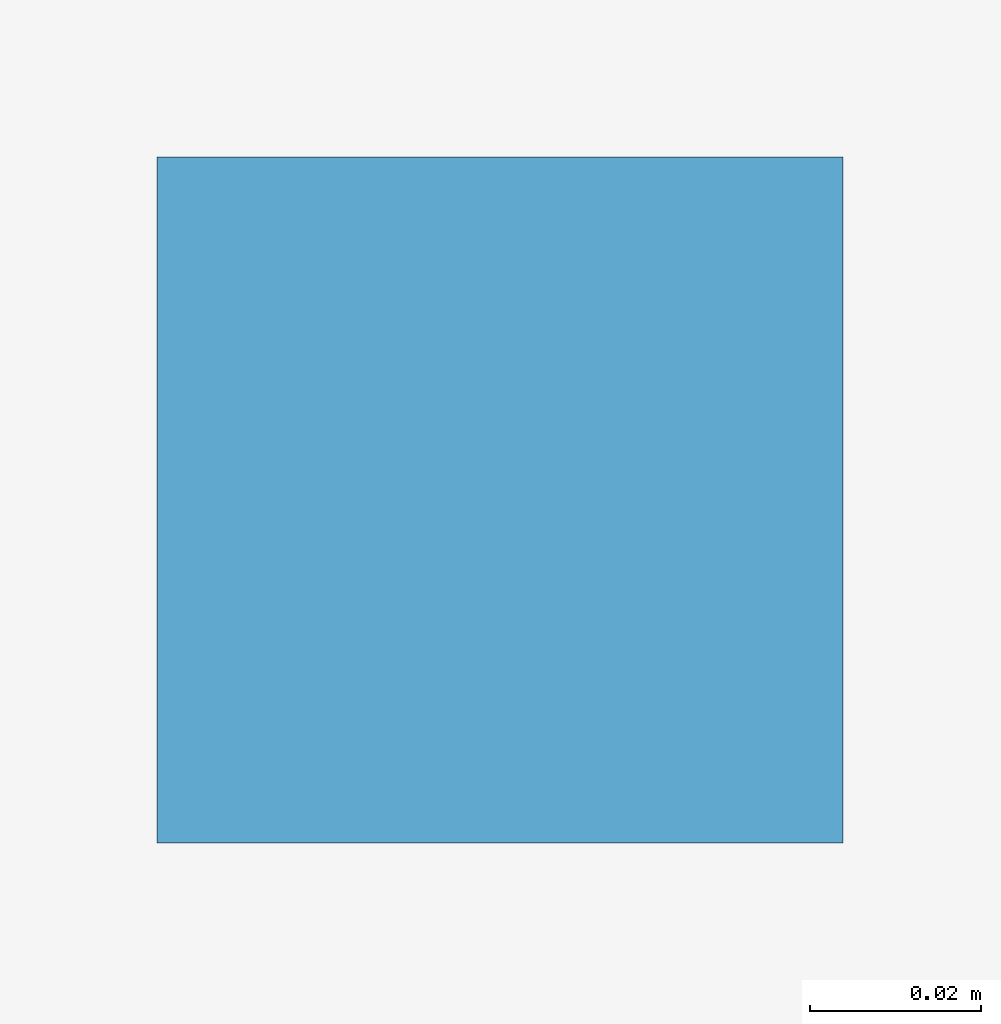
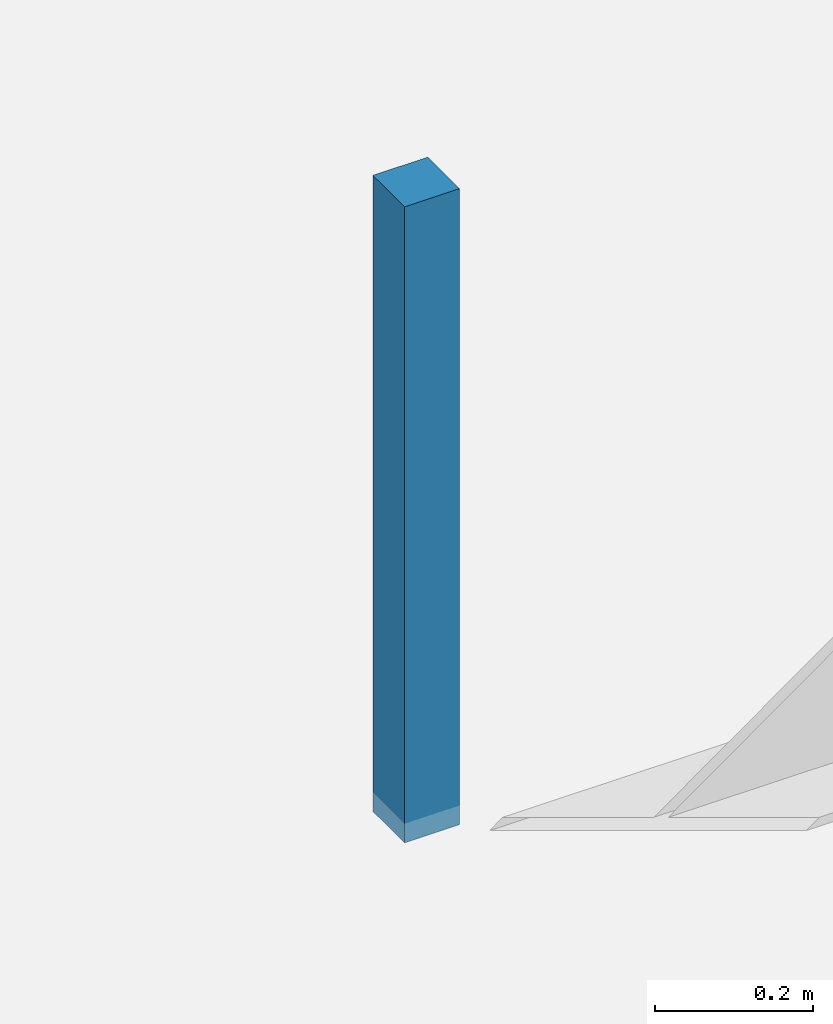
# One storey, part 13 of 18: 1 discrete accessory.
"""IFC4 building model written with IfcOpenShell, lengths in metres."""

from ifc_helpers import new_model, si_unit, direction, frame, origin, origin_2d, place, context, subcontext, project, spatial, rectangle, extrude, source, transform, mapped, material, type_object, element, save


model = new_model("IFC4")

# Units and contexts
model_context = context("Model", 3, precision=1e-05, world=origin(), true_north=direction((0.0, 1.0)))
body_context = subcontext(model_context, "Body", "Model", "MODEL_VIEW")
ifc_project = project(units=[si_unit("LENGTHUNIT", "METRE"), si_unit("AREAUNIT", "SQUARE_METRE"), si_unit("VOLUMEUNIT", "CUBIC_METRE"), si_unit("PLANEANGLEUNIT", "RADIAN"), si_unit("MASSUNIT", "GRAM", prefix="KILO")], contexts=[model_context])

# Site, building, storey
site_placement = place(None, origin())
site = spatial("IfcSite", under=ifc_project, at=site_placement, CompositionType="ELEMENT")
building_placement = place(site_placement, origin())
building = spatial("IfcBuilding", under=site, at=building_placement, Name="Giltprow Tower", CompositionType="ELEMENT")
storey_placement = place(building_placement, frame((0.0, 0.0, 61.10009765625)))
storey = spatial("IfcBuildingStorey", under=building, at=storey_placement, Name="L15", CompositionType="ELEMENT", Elevation=61.10009765625)

# Discrete accessory
ifc_material = material(Name="Structural steel Q355B", Category="steel")
discrete_accessory_type = type_object("IfcDiscreteAccessoryType", Name="ACC-CLG-HANGER", PredefinedType="BRACKET", material=ifc_material)
shared_shape = source(origin(), body_context, "Body", "SweptSolid", [
    extrude(rectangle(XDim=0.080078125, YDim=0.080078125, at=origin_2d()), origin(), (0.0, 0.0, 1.0), 0.97998046875),
])
discrete_accessory_placement = place(storey_placement, frame((25.39990234375, 19.64111328125, 2.719970703125), z_axis=(0.0, 0.0, 1.0), x_axis=(1.0, 0.0, 0.0)))
element("IfcDiscreteAccessory", 1, at=discrete_accessory_placement, inside=storey, type_object=discrete_accessory_type, Name="L15 Office Acoustic Ceiling Suspension Hanger", PredefinedType="BRACKET", context=body_context, shape_type="MappedRepresentation", body=[
    mapped(shared_shape, transform((0.0, 0.0, 0.0), x_axis=(1.0, 0.0, 0.0), y_axis=(0.0, 1.0, 0.0), z_axis=(0.0, 0.0, 1.0), scale=1.0)),
])

save(model, "model.ifc")
